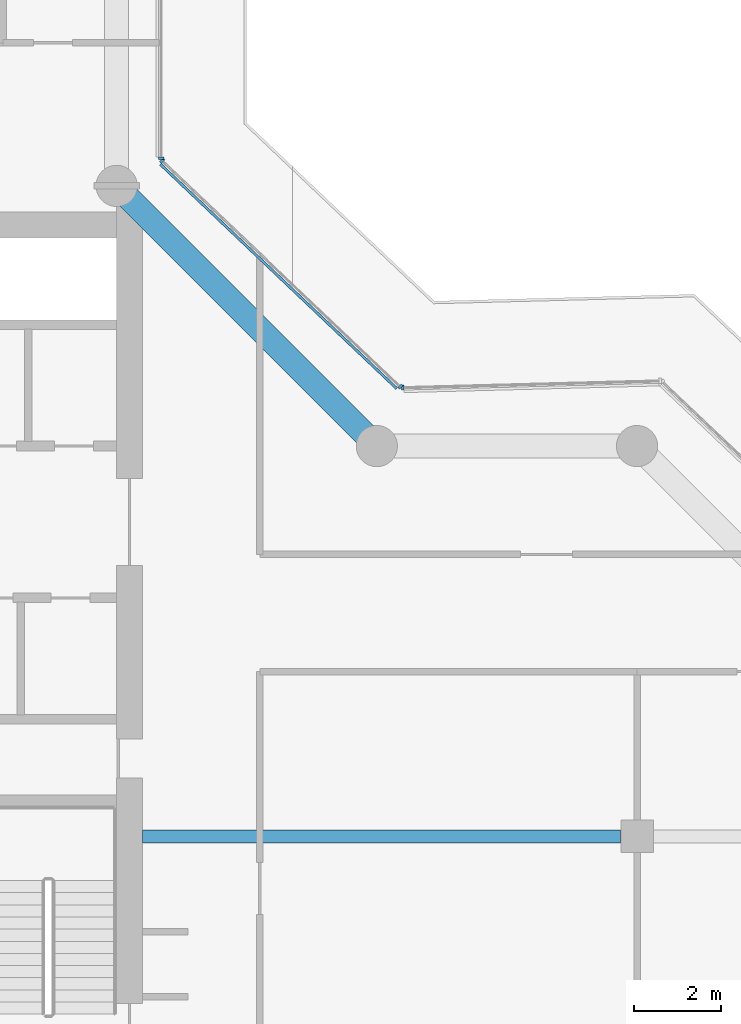
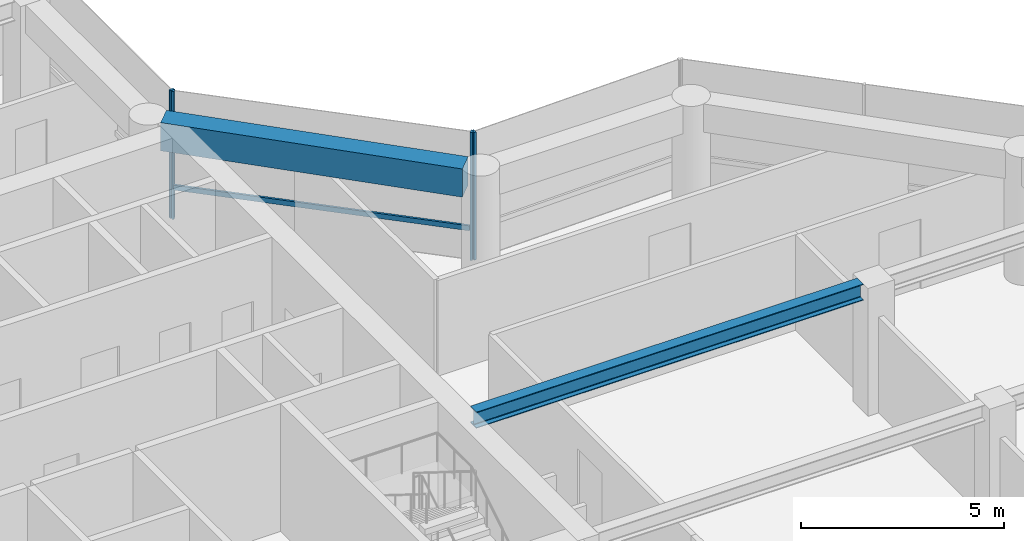
# One storey, part 5 of 20: 5 members, 2 beams, 3 elements without a shape of their own.
"""IFC4 building model written with IfcOpenShell, lengths in metres."""

from ifc_helpers import new_model, si_unit, direction, frame, origin, origin_2d, place, context, subcontext, project, spatial, rectangle, i_section, extrude, material, layer, layer_set, material_profile, profile_set, type_object, element, aggregate, save


model = new_model("IFC4")

# Units and contexts
model_context = context("Model", 3, precision=1e-05, world=origin(), true_north=direction((0.0, 1.0)))
body_context = subcontext(model_context, "Body", "Model", "MODEL_VIEW")
ifc_project = project(units=[si_unit("LENGTHUNIT", "METRE"), si_unit("AREAUNIT", "SQUARE_METRE"), si_unit("VOLUMEUNIT", "CUBIC_METRE"), si_unit("PLANEANGLEUNIT", "RADIAN"), si_unit("MASSUNIT", "GRAM", prefix="KILO")], contexts=[model_context])

# Site, building, storey
site_placement = place(None, origin())
site = spatial("IfcSite", under=ifc_project, at=site_placement, CompositionType="ELEMENT")
building_placement = place(site_placement, origin())
building = spatial("IfcBuilding", under=site, at=building_placement, Name="Welwitschia Terrace Campus", CompositionType="ELEMENT")
storey_placement = place(building_placement, frame((0.0, 0.0, 176.0)))
storey = spatial("IfcBuildingStorey", under=building, at=storey_placement, Name="L39", CompositionType="ELEMENT", Elevation=176.0)

# Beam
ifc_material_1 = material(Name="Steel S355", Category="steel")
ifc_material_profile_1 = material_profile(ifc_material_1, i_section(OverallWidth=0.300048828125, OverallDepth=0.489990234375, WebThickness=0.011962890625, FlangeThickness=0.02294921875, FilletRadius=0.027099609375, at=origin_2d()))
ifc_profile_set_1 = profile_set([ifc_material_profile_1], Name="Steel S355")
beam_type_1 = type_object("IfcBeamType", Name="Interior girder HE 500 A", PredefinedType="BEAM", material=ifc_profile_set_1)
beam_1_placement = place(storey_placement, frame((24.60107421875, 11.0, 3.60498046875), z_axis=(1.0, 0.0, 0.0), x_axis=(0.0, 1.0, 0.0)))
element("IfcBeam", 1, at=beam_1_placement, inside=storey, type_object=beam_type_1, Name="Girder GB4", PredefinedType="BEAM", context=body_context, shape_type="SweptSolid", body=[
    extrude(i_section(OverallWidth=0.300048828125, OverallDepth=0.489990234375, WebThickness=0.011962890625, FlangeThickness=0.02294921875, FilletRadius=0.027099609375, at=origin_2d()), origin(), (0.0, 0.0, 1.0), 11.0234375),
])

# Curtain wall, member
ifc_material_2 = material(Name="Bronze anodised aluminium", Category="aluminium")
ifc_layer = layer(ifc_material_2, 0.1201171875)
ifc_layer_set = layer_set([ifc_layer], Name="Bronze anodised aluminium")
curtain_wall_type = type_object("IfcCurtainWallType", Name="Curtain wall CW2 tower 6000", PredefinedType="NOTDEFINED", material=ifc_layer_set)
curtain_wall_1_placement = place(storey_placement, origin())
curtain_wall_1 = element("IfcCurtainWall", 2, at=curtain_wall_1_placement, inside=storey, type_object=curtain_wall_type, Name="CW L39.7.0", PredefinedType="NOTDEFINED")
ifc_material_3 = material(Name="Bronze anodised aluminium", Category="aluminium")
ifc_material_profile_2 = material_profile(ifc_material_3, rectangle(XDim=0.1201171875, YDim=0.06005859375, at=origin_2d()))
ifc_profile_set_2 = profile_set([ifc_material_profile_2], Name="Bronze anodised aluminium")
member_type_1 = type_object("IfcMemberType", Name="Mullion 60x120", PredefinedType="MULLION", material=ifc_profile_set_2)
member_1_placement = place(storey_placement, frame((30.59423828125, 21.352294921875, 0.0), z_axis=(0.0, 0.0, 1.0), x_axis=(0.026176948308, -0.999657324976, 0.0)))
member_1 = element("IfcMember", 3, at=member_1_placement, type_object=member_type_1, Name="Mullion L39.7.0.1", PredefinedType="MULLION", context=body_context, shape_type="SweptSolid", body=[
    extrude(rectangle(XDim=0.1201171875, YDim=0.06005859375, at=origin_2d()), origin(), (0.0, 0.0, 1.0), 3.85009765625),
])
aggregate(curtain_wall_1, [member_1])

# Curtain wall, members
curtain_wall_2_placement = place(storey_placement, origin())
curtain_wall_2 = element("IfcCurtainWall", 4, at=curtain_wall_2_placement, inside=storey, type_object=curtain_wall_type, Name="CW L39.8.0", PredefinedType="NOTDEFINED")
member_2_placement = place(storey_placement, frame((30.54248046875, 21.372314453125, 0.0), z_axis=(0.0, 0.0, 1.0), x_axis=(-0.688354575694, -0.725374371012, 0.0)))
member_2 = element("IfcMember", 5, at=member_2_placement, type_object=member_type_1, Name="Mullion L39.8.0.0", PredefinedType="MULLION", context=body_context, shape_type="SweptSolid", body=[
    extrude(rectangle(XDim=0.1201171875, YDim=0.06005859375, at=origin_2d()), origin(), (0.0, 0.0, 1.0), 3.85009765625),
])
member_3_placement = place(storey_placement, frame((25.0517578125, 26.582763671875, 0.0), z_axis=(0.0, 0.0, 1.0), x_axis=(-0.688354575694, -0.725374371012, 0.0)))
member_3 = element("IfcMember", 6, at=member_3_placement, type_object=member_type_1, Name="Mullion L39.8.0.1", PredefinedType="MULLION", context=body_context, shape_type="SweptSolid", body=[
    extrude(rectangle(XDim=0.1201171875, YDim=0.06005859375, at=origin_2d()), origin(), (0.0, 0.0, 1.0), 3.85009765625),
])

# Curtain wall, member
curtain_wall_3_placement = place(storey_placement, origin())
curtain_wall_3 = element("IfcCurtainWall", 7, at=curtain_wall_3_placement, inside=storey, type_object=curtain_wall_type, Name="CW L39.9.0", PredefinedType="NOTDEFINED")
member_4_placement = place(storey_placement, frame((25.030029296875, 26.63330078125, 0.0), z_axis=(0.0, 0.0, 1.0), x_axis=(-1.0, 0.0, 0.0)))
member_4 = element("IfcMember", 8, at=member_4_placement, type_object=member_type_1, Name="Mullion L39.9.0.0", PredefinedType="MULLION", context=body_context, shape_type="SweptSolid", body=[
    extrude(rectangle(XDim=0.1201171875, YDim=0.06005859375, at=origin_2d()), origin(), (0.0, 0.0, 1.0), 3.85009765625),
])
aggregate(curtain_wall_3, [member_4])

# Beam
ifc_material_4 = material(Name="Concrete C50/60", Category="concrete")
ifc_material_profile_3 = material_profile(ifc_material_4, rectangle(XDim=0.550048828125, YDim=0.85009765625, at=origin_2d()))
ifc_profile_set_3 = profile_set([ifc_material_profile_3], Name="Concrete C50/60")
beam_type_2 = type_object("IfcBeamType", Name="Ring spandrel 550x850", PredefinedType="SPANDREL", material=ifc_profile_set_3)
beam_2_placement = place(storey_placement, frame((29.7255859375, 20.2744140625, 3.425048828125), z_axis=(-0.707106781187, 0.707106781187, 0.0), x_axis=(-0.707106781187, -0.707106781187, 0.0)))
element("IfcBeam", 9, at=beam_2_placement, inside=storey, type_object=beam_type_2, Name="Spandrel SP3", PredefinedType="SPANDREL", context=body_context, shape_type="SweptSolid", body=[
    extrude(rectangle(XDim=0.550048828125, YDim=0.85009765625, at=origin_2d()), origin(), (0.0, 0.0, 1.0), 7.709228515625),
])

# Member
ifc_material_5 = material(Name="Bronze anodised aluminium", Category="aluminium")
ifc_material_profile_4 = material_profile(ifc_material_5, rectangle(XDim=0.06005859375, YDim=0.14990234375, at=origin_2d()))
ifc_profile_set_4 = profile_set([ifc_material_profile_4], Name="Bronze anodised aluminium")
member_type_2 = type_object("IfcMemberType", Name="Transom 60x150", PredefinedType="USERDEFINED", material=ifc_profile_set_4)
member_5_placement = place(storey_placement, frame((30.458740234375, 21.32763671875, 1.0), z_axis=(-0.725379198917, 0.688349488108, 0.0), x_axis=(-0.688349488108, -0.725379198917, 0.0)))
member_5 = element("IfcMember", 10, at=member_5_placement, type_object=member_type_2, Name="Transom L39.8.0", ObjectType="TRANSOM", PredefinedType="USERDEFINED", context=body_context, shape_type="SweptSolid", body=[
    extrude(rectangle(XDim=0.06005859375, YDim=0.14990234375, at=origin_2d()), origin(), (0.0, 0.0, 1.0), 7.509521484375),
])

aggregate(curtain_wall_2, [member_2, member_3, member_5])

save(model, "model.ifc")
